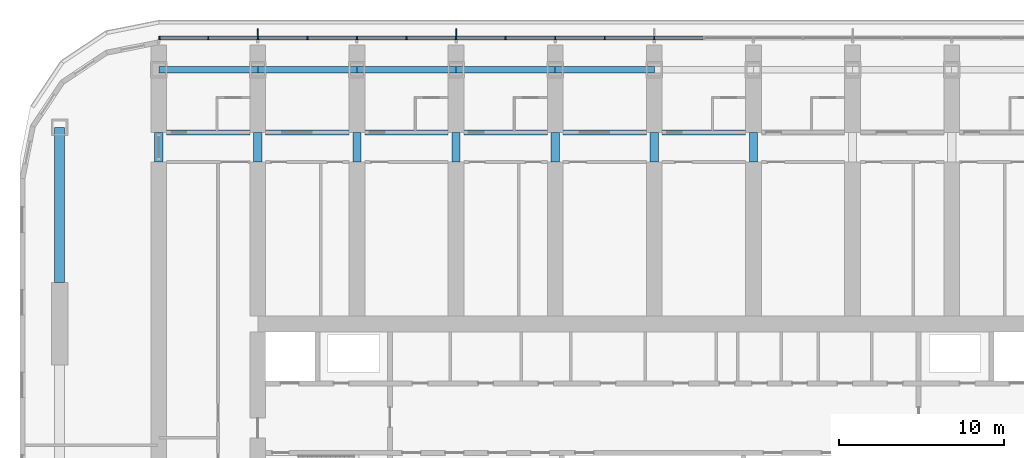
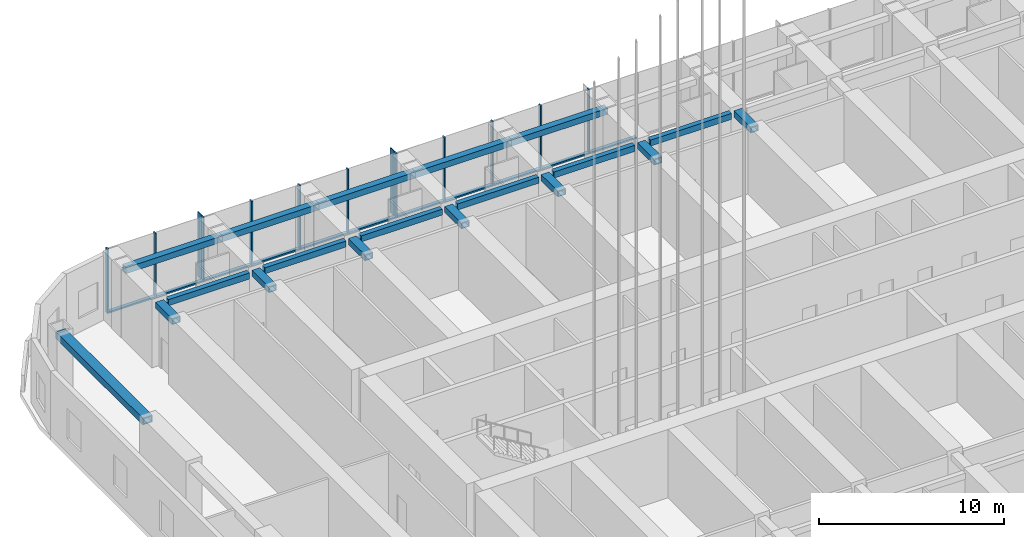
# One storey, part 4 of 31: 24 members, 19 beams, 1 element without a shape of its own.
"""IFC4 building model written with IfcOpenShell, lengths in metres."""

from ifc_helpers import new_model, si_unit, direction, frame, origin, origin_2d, place, context, subcontext, project, spatial, rectangle, hollow_rectangle, extrude, material, material_profile, profile_set, type_object, element, aggregate, save


model = new_model("IFC4")

# Units and contexts
model_context = context("Model", 3, precision=1e-05, world=origin(), true_north=direction((0.0, 1.0)))
body_context = subcontext(model_context, "Body", "Model", "MODEL_VIEW")
ifc_project = project(units=[si_unit("LENGTHUNIT", "METRE"), si_unit("AREAUNIT", "SQUARE_METRE"), si_unit("VOLUMEUNIT", "CUBIC_METRE"), si_unit("PLANEANGLEUNIT", "RADIAN"), si_unit("MASSUNIT", "GRAM", prefix="KILO")], contexts=[model_context])

# Site, building, storey
site_placement = place(None, origin())
site = spatial("IfcSite", under=ifc_project, at=site_placement, CompositionType="ELEMENT")
building_placement = place(site_placement, origin())
building = spatial("IfcBuilding", under=site, at=building_placement, Name="Orbita Commons", CompositionType="ELEMENT")
storey_placement = place(building_placement, frame((0.0, 0.0, 76.14990234375)))
storey = spatial("IfcBuildingStorey", under=building, at=storey_placement, Name="L18", CompositionType="ELEMENT", Elevation=76.14990234375)

# Curtain wall, members
ifc_material_1 = material(Name="Anodised aluminium frame, pale silver", Category="aluminium")
curtain_wall_type = type_object("IfcCurtainWallType", Name="Unitised curtain wall CW-S, full-height", PredefinedType="NOTDEFINED", material=ifc_material_1)
curtain_wall_placement = place(storey_placement, origin())
curtain_wall = element("IfcCurtainWall", 1, at=curtain_wall_placement, inside=storey, type_object=curtain_wall_type, Name="Curtain wall north L18", PredefinedType="NOTDEFINED")
ifc_material_2 = material(Name="Anodised aluminium, pale silver", Category="aluminium")
ifc_material_profile_1 = material_profile(ifc_material_2, rectangle(XDim=0.080078125, YDim=0.219970703125, at=origin_2d()), Name="AL 80x220")
ifc_profile_set_1 = profile_set([ifc_material_profile_1], Name="Anodised aluminium, pale silver")
member_type_1 = type_object("IfcMemberType", Name="Curtain wall mullion 80x220", PredefinedType="MULLION", material=ifc_profile_set_1)
member_1_placement = place(storey_placement, frame((42.0, 55.510009765625, 0.0), z_axis=(0.0, 0.0, 1.0), x_axis=(-1.0, 0.0, 0.0)))
member_1 = element("IfcMember", 2, at=member_1_placement, type_object=member_type_1, Name="Mullion 9 CW-L18-N", PredefinedType="MULLION", context=body_context, shape_type="SweptSolid", body=[
    extrude(rectangle(XDim=0.080078125, YDim=0.219970703125, at=origin_2d()), origin(), (0.0, 0.0, 1.0), 4.25),
])
member_2_placement = place(storey_placement, frame((39.0, 55.510009765625, 0.0), z_axis=(0.0, 0.0, 1.0), x_axis=(-1.0, 0.0, 0.0)))
member_2 = element("IfcMember", 3, at=member_2_placement, type_object=member_type_1, Name="Mullion 10 CW-L18-N", PredefinedType="MULLION", context=body_context, shape_type="SweptSolid", body=[
    extrude(rectangle(XDim=0.080078125, YDim=0.219970703125, at=origin_2d()), origin(), (0.0, 0.0, 1.0), 4.25),
])
member_3_placement = place(storey_placement, frame((36.0, 55.510009765625, 0.0), z_axis=(0.0, 0.0, 1.0), x_axis=(-1.0, 0.0, 0.0)))
member_3 = element("IfcMember", 4, at=member_3_placement, type_object=member_type_1, Name="Mullion 11 CW-L18-N", PredefinedType="MULLION", context=body_context, shape_type="SweptSolid", body=[
    extrude(rectangle(XDim=0.080078125, YDim=0.219970703125, at=origin_2d()), origin(), (0.0, 0.0, 1.0), 4.25),
])
member_4_placement = place(storey_placement, frame((33.0, 55.510009765625, 0.0), z_axis=(0.0, 0.0, 1.0), x_axis=(-1.0, 0.0, 0.0)))
member_4 = element("IfcMember", 5, at=member_4_placement, type_object=member_type_1, Name="Mullion 12 CW-L18-N", PredefinedType="MULLION", context=body_context, shape_type="SweptSolid", body=[
    extrude(rectangle(XDim=0.080078125, YDim=0.219970703125, at=origin_2d()), origin(), (0.0, 0.0, 1.0), 4.25),
])
member_5_placement = place(storey_placement, frame((30.0, 55.510009765625, 0.0), z_axis=(0.0, 0.0, 1.0), x_axis=(-1.0, 0.0, 0.0)))
member_5 = element("IfcMember", 6, at=member_5_placement, type_object=member_type_1, Name="Mullion 13 CW-L18-N", PredefinedType="MULLION", context=body_context, shape_type="SweptSolid", body=[
    extrude(rectangle(XDim=0.080078125, YDim=0.219970703125, at=origin_2d()), origin(), (0.0, 0.0, 1.0), 4.25),
])
member_6_placement = place(storey_placement, frame((27.0, 55.510009765625, 0.0), z_axis=(0.0, 0.0, 1.0), x_axis=(-1.0, 0.0, 0.0)))
member_6 = element("IfcMember", 7, at=member_6_placement, type_object=member_type_1, Name="Mullion 14 CW-L18-N", PredefinedType="MULLION", context=body_context, shape_type="SweptSolid", body=[
    extrude(rectangle(XDim=0.080078125, YDim=0.219970703125, at=origin_2d()), origin(), (0.0, 0.0, 1.0), 4.25),
])
member_7_placement = place(storey_placement, frame((24.0, 55.510009765625, 0.0), z_axis=(0.0, 0.0, 1.0), x_axis=(-1.0, 0.0, 0.0)))
member_7 = element("IfcMember", 8, at=member_7_placement, type_object=member_type_1, Name="Mullion 15 CW-L18-N", PredefinedType="MULLION", context=body_context, shape_type="SweptSolid", body=[
    extrude(rectangle(XDim=0.080078125, YDim=0.219970703125, at=origin_2d()), origin(), (0.0, 0.0, 1.0), 4.25),
])
member_8_placement = place(storey_placement, frame((21.0, 55.510009765625, 0.0), z_axis=(0.0, 0.0, 1.0), x_axis=(-1.0, 0.0, 0.0)))
member_8 = element("IfcMember", 9, at=member_8_placement, type_object=member_type_1, Name="Mullion 16 CW-L18-N", PredefinedType="MULLION", context=body_context, shape_type="SweptSolid", body=[
    extrude(rectangle(XDim=0.080078125, YDim=0.219970703125, at=origin_2d()), origin(), (0.0, 0.0, 1.0), 4.25),
])
member_9_placement = place(storey_placement, frame((18.0, 55.510009765625, 0.0), z_axis=(0.0, 0.0, 1.0), x_axis=(-1.0, 0.0, 0.0)))
member_9 = element("IfcMember", 10, at=member_9_placement, type_object=member_type_1, Name="Mullion 17 CW-L18-N", PredefinedType="MULLION", context=body_context, shape_type="SweptSolid", body=[
    extrude(rectangle(XDim=0.080078125, YDim=0.219970703125, at=origin_2d()), origin(), (0.0, 0.0, 1.0), 4.25),
])
member_10_placement = place(storey_placement, frame((15.0, 55.510009765625, 0.0), z_axis=(0.0, 0.0, 1.0), x_axis=(-1.0, 0.0, 0.0)))
member_10 = element("IfcMember", 11, at=member_10_placement, type_object=member_type_1, Name="Mullion 18 CW-L18-N", PredefinedType="MULLION", context=body_context, shape_type="SweptSolid", body=[
    extrude(rectangle(XDim=0.080078125, YDim=0.219970703125, at=origin_2d()), origin(), (0.0, 0.0, 1.0), 4.25),
])
member_11_placement = place(storey_placement, frame((12.0400390625, 55.510009765625, 0.0), z_axis=(0.0, 0.0, 1.0), x_axis=(-1.0, 0.0, 0.0)))
member_11 = element("IfcMember", 12, at=member_11_placement, type_object=member_type_1, Name="Mullion 19 CW-L18-N", PredefinedType="MULLION", context=body_context, shape_type="SweptSolid", body=[
    extrude(rectangle(XDim=0.080078125, YDim=0.219970703125, at=origin_2d()), origin(), (0.0, 0.0, 1.0), 4.25),
])
ifc_material_3 = material(Name="Anodised aluminium, pale silver", Category="aluminium")
ifc_material_profile_2 = material_profile(ifc_material_3, rectangle(XDim=0.219970703125, YDim=0.10009765625, at=origin_2d()), Name="AL 220x100")
ifc_profile_set_2 = profile_set([ifc_material_profile_2], Name="Anodised aluminium, pale silver")
member_type_2 = type_object("IfcMemberType", Name="Curtain wall stack transom 220x100", PredefinedType="USERDEFINED", material=ifc_profile_set_2)
member_12_placement = place(storey_placement, frame((44.9599609375, 55.510009765625, 0.050048828125), z_axis=(-1.0, 0.0, 0.0), x_axis=(0.0, -1.0, 0.0)))
member_12 = element("IfcMember", 13, at=member_12_placement, type_object=member_type_2, Name="Transom 8.1 CW-L18-N", ObjectType="TRANSOM", PredefinedType="USERDEFINED", context=body_context, shape_type="SweptSolid", body=[
    extrude(rectangle(XDim=0.219970703125, YDim=0.10009765625, at=origin_2d()), origin(), (0.0, 0.0, 1.0), 2.919921875),
])
member_13_placement = place(storey_placement, frame((41.9599609375, 55.510009765625, 0.050048828125), z_axis=(-1.0, 0.0, 0.0), x_axis=(0.0, -1.0, 0.0)))
member_13 = element("IfcMember", 14, at=member_13_placement, type_object=member_type_2, Name="Transom 9.1 CW-L18-N", ObjectType="TRANSOM", PredefinedType="USERDEFINED", context=body_context, shape_type="SweptSolid", body=[
    extrude(rectangle(XDim=0.219970703125, YDim=0.10009765625, at=origin_2d()), origin(), (0.0, 0.0, 1.0), 2.919921875),
])
member_14_placement = place(storey_placement, frame((38.9599609375, 55.510009765625, 0.050048828125), z_axis=(-1.0, 0.0, 0.0), x_axis=(0.0, -1.0, 0.0)))
member_14 = element("IfcMember", 15, at=member_14_placement, type_object=member_type_2, Name="Transom 10.1 CW-L18-N", ObjectType="TRANSOM", PredefinedType="USERDEFINED", context=body_context, shape_type="SweptSolid", body=[
    extrude(rectangle(XDim=0.219970703125, YDim=0.10009765625, at=origin_2d()), origin(), (0.0, 0.0, 1.0), 2.919921875),
])
member_15_placement = place(storey_placement, frame((35.9599609375, 55.510009765625, 0.050048828125), z_axis=(-1.0, 0.0, 0.0), x_axis=(0.0, -1.0, 0.0)))
member_15 = element("IfcMember", 16, at=member_15_placement, type_object=member_type_2, Name="Transom 11.1 CW-L18-N", ObjectType="TRANSOM", PredefinedType="USERDEFINED", context=body_context, shape_type="SweptSolid", body=[
    extrude(rectangle(XDim=0.219970703125, YDim=0.10009765625, at=origin_2d()), origin(), (0.0, 0.0, 1.0), 2.919921875),
])
member_16_placement = place(storey_placement, frame((32.9599609375, 55.510009765625, 0.050048828125), z_axis=(-1.0, 0.0, 0.0), x_axis=(0.0, -1.0, 0.0)))
member_16 = element("IfcMember", 17, at=member_16_placement, type_object=member_type_2, Name="Transom 12.1 CW-L18-N", ObjectType="TRANSOM", PredefinedType="USERDEFINED", context=body_context, shape_type="SweptSolid", body=[
    extrude(rectangle(XDim=0.219970703125, YDim=0.10009765625, at=origin_2d()), origin(), (0.0, 0.0, 1.0), 2.919921875),
])
member_17_placement = place(storey_placement, frame((29.9599609375, 55.510009765625, 0.050048828125), z_axis=(-1.0, 0.0, 0.0), x_axis=(0.0, -1.0, 0.0)))
member_17 = element("IfcMember", 18, at=member_17_placement, type_object=member_type_2, Name="Transom 13.1 CW-L18-N", ObjectType="TRANSOM", PredefinedType="USERDEFINED", context=body_context, shape_type="SweptSolid", body=[
    extrude(rectangle(XDim=0.219970703125, YDim=0.10009765625, at=origin_2d()), origin(), (0.0, 0.0, 1.0), 2.919921875),
])
member_18_placement = place(storey_placement, frame((26.9599609375, 55.510009765625, 0.050048828125), z_axis=(-1.0, 0.0, 0.0), x_axis=(0.0, -1.0, 0.0)))
member_18 = element("IfcMember", 19, at=member_18_placement, type_object=member_type_2, Name="Transom 14.1 CW-L18-N", ObjectType="TRANSOM", PredefinedType="USERDEFINED", context=body_context, shape_type="SweptSolid", body=[
    extrude(rectangle(XDim=0.219970703125, YDim=0.10009765625, at=origin_2d()), origin(), (0.0, 0.0, 1.0), 2.919921875),
])
member_19_placement = place(storey_placement, frame((23.9599609375, 55.510009765625, 0.050048828125), z_axis=(-1.0, 0.0, 0.0), x_axis=(0.0, -1.0, 0.0)))
member_19 = element("IfcMember", 20, at=member_19_placement, type_object=member_type_2, Name="Transom 15.1 CW-L18-N", ObjectType="TRANSOM", PredefinedType="USERDEFINED", context=body_context, shape_type="SweptSolid", body=[
    extrude(rectangle(XDim=0.219970703125, YDim=0.10009765625, at=origin_2d()), origin(), (0.0, 0.0, 1.0), 2.919921875),
])
member_20_placement = place(storey_placement, frame((20.9599609375, 55.510009765625, 0.050048828125), z_axis=(-1.0, 0.0, 0.0), x_axis=(0.0, -1.0, 0.0)))
member_20 = element("IfcMember", 21, at=member_20_placement, type_object=member_type_2, Name="Transom 16.1 CW-L18-N", ObjectType="TRANSOM", PredefinedType="USERDEFINED", context=body_context, shape_type="SweptSolid", body=[
    extrude(rectangle(XDim=0.219970703125, YDim=0.10009765625, at=origin_2d()), origin(), (0.0, 0.0, 1.0), 2.919921875),
])
member_21_placement = place(storey_placement, frame((17.9599609375, 55.510009765625, 0.050048828125), z_axis=(-1.0, 0.0, 0.0), x_axis=(0.0, -1.0, 0.0)))
member_21 = element("IfcMember", 22, at=member_21_placement, type_object=member_type_2, Name="Transom 17.1 CW-L18-N", ObjectType="TRANSOM", PredefinedType="USERDEFINED", context=body_context, shape_type="SweptSolid", body=[
    extrude(rectangle(XDim=0.219970703125, YDim=0.10009765625, at=origin_2d()), origin(), (0.0, 0.0, 1.0), 2.919921875),
])
member_22_placement = place(storey_placement, frame((14.9599609375, 55.510009765625, 0.050048828125), z_axis=(-1.0, 0.0, 0.0), x_axis=(0.0, -1.0, 0.0)))
member_22 = element("IfcMember", 23, at=member_22_placement, type_object=member_type_2, Name="Transom 18.1 CW-L18-N", ObjectType="TRANSOM", PredefinedType="USERDEFINED", context=body_context, shape_type="SweptSolid", body=[
    extrude(rectangle(XDim=0.219970703125, YDim=0.10009765625, at=origin_2d()), origin(), (0.0, 0.0, 1.0), 2.8798828125),
])

# Beams
ifc_material_4 = material(Name="Steel ASTM A572 Gr 50 welded plate", Category="steel")
ifc_material_profile_3 = material_profile(ifc_material_4, hollow_rectangle(XDim=0.300048828125, YDim=0.39990234375, WallThickness=0.0400390625, at=origin_2d()), Name="BOX 400x300x40")
ifc_profile_set_3 = profile_set([ifc_material_profile_3], Name="Steel ASTM A572 Gr 50 welded plate")
beam_type_1 = type_object("IfcBeamType", Name="Steel corridor link BOX 400x300x40", PredefinedType="BEAM", material=ifc_profile_set_3)
for number, where, z_axis, x_axis, name in (
    (24, (12.47509765625, 49.800048828125, 4.050048828125), (1.0, 0.0, 0.0), (0.0, 1.0, 0.0), "Corridor beam NB 3-4 L18"),
    (25, (18.47509765625, 49.800048828125, 4.050048828125), (1.0, 0.0, 0.0), (0.0, 1.0, 0.0), "Corridor beam NB 4-5 L18"),
    (26, (24.47509765625, 49.800048828125, 4.050048828125), (1.0, 0.0, 0.0), (0.0, 1.0, 0.0), "Corridor beam NB 5-6 L18"),
    (27, (30.47509765625, 49.800048828125, 4.050048828125), (1.0, 0.0, 0.0), (0.0, 1.0, 0.0), "Corridor beam NB 6-7 L18"),
    (28, (36.47509765625, 49.800048828125, 4.050048828125), (1.0, 0.0, 0.0), (0.0, 1.0, 0.0), "Corridor beam NB 7-8 L18"),
    (29, (42.47509765625, 49.800048828125, 4.050048828125), (1.0, 0.0, 0.0), (0.0, 1.0, 0.0), "Corridor beam NB 8-9 L18"),
):
    element("IfcBeam", number, at=place(storey_placement, frame(where, z_axis=z_axis, x_axis=x_axis)), inside=storey, type_object=beam_type_1, Name=name, PredefinedType="BEAM", context=body_context, shape_type="SweptSolid", body=[
        extrude(hollow_rectangle(XDim=0.300048828125, YDim=0.39990234375, WallThickness=0.0400390625, at=origin_2d()), origin(), (0.0, 0.0, 1.0), 5.0498046875),
    ])
ifc_material_5 = material(Name="Steel ASTM A572 Gr 50 welded plate", Category="steel")
ifc_material_profile_4 = material_profile(ifc_material_5, hollow_rectangle(XDim=0.5, YDim=0.39990234375, WallThickness=0.050048828125, at=origin_2d()), Name="BOX 400x500x50")
ifc_profile_set_4 = profile_set([ifc_material_profile_4], Name="Steel ASTM A572 Gr 50 welded plate")
beam_type_2 = type_object("IfcBeamType", Name="Steel coupling link BOX 400x500x50", PredefinedType="LINTEL", material=ifc_profile_set_4)
for number, where, z_axis, x_axis, name in (
    (30, (12.0, 48.0, 4.050048828125), (0.0, 1.0, 0.0), (-1.0, 0.0, 0.0), "Coupling beam 3 north L18"),
    (31, (18.0, 48.0, 4.050048828125), (0.0, 1.0, 0.0), (-1.0, 0.0, 0.0), "Coupling beam 4 north L18"),
    (32, (24.0, 48.0, 4.050048828125), (0.0, 1.0, 0.0), (-1.0, 0.0, 0.0), "Coupling beam 5 north L18"),
    (33, (30.0, 48.0, 4.050048828125), (0.0, 1.0, 0.0), (-1.0, 0.0, 0.0), "Coupling beam 6 north L18"),
    (34, (36.0, 48.0, 4.050048828125), (0.0, 1.0, 0.0), (-1.0, 0.0, 0.0), "Coupling beam 7 north L18"),
    (35, (42.0, 48.0, 4.050048828125), (0.0, 1.0, 0.0), (-1.0, 0.0, 0.0), "Coupling beam 8 north L18"),
    (36, (48.0, 48.0, 4.050048828125), (0.0, 1.0, 0.0), (-1.0, 0.0, 0.0), "Coupling beam 9 north L18"),
):
    element("IfcBeam", number, at=place(storey_placement, frame(where, z_axis=z_axis, x_axis=x_axis)), inside=storey, type_object=beam_type_2, Name=name, PredefinedType="LINTEL", context=body_context, shape_type="SweptSolid", body=[
        extrude(hollow_rectangle(XDim=0.5, YDim=0.39990234375, WallThickness=0.050048828125, at=origin_2d()), origin(), (0.0, 0.0, 1.0), 1.800048828125),
    ])
ifc_material_6 = material(Name="Steel ASTM A572 Gr 50 welded plate", Category="steel")
ifc_material_profile_5 = material_profile(ifc_material_6, hollow_rectangle(XDim=0.60009765625, YDim=0.449951171875, WallThickness=0.06005859375, at=origin_2d()), Name="BOX 450x600x60")
ifc_profile_set_5 = profile_set([ifc_material_profile_5], Name="Steel ASTM A572 Gr 50 welded plate")
beam_type_3 = type_object("IfcBeamType", Name="Steel end frame link BOX 450x600x60", PredefinedType="BEAM", material=ifc_profile_set_5)
beam_placement = place(storey_placement, frame((6.0, 40.699951171875, 4.025146484375), z_axis=(0.0, 1.0, 0.0), x_axis=(-1.0, 0.0, 0.0)))
element("IfcBeam", 37, at=beam_placement, inside=storey, type_object=beam_type_3, Name="End frame beam 2 D-E L18", PredefinedType="BEAM", context=body_context, shape_type="SweptSolid", body=[
    extrude(hollow_rectangle(XDim=0.60009765625, YDim=0.449951171875, WallThickness=0.06005859375, at=origin_2d()), origin(), (0.0, 0.0, 1.0), 9.400146484375),
])
ifc_material_7 = material(Name="Steel ASTM A572 Gr 50 welded plate", Category="steel")
ifc_material_profile_6 = material_profile(ifc_material_7, hollow_rectangle(XDim=0.39990234375, YDim=0.39990234375, WallThickness=0.0400390625, at=origin_2d()), Name="BOX 400x400x40")
ifc_profile_set_6 = profile_set([ifc_material_profile_6], Name="Steel ASTM A572 Gr 50 welded plate")
beam_type_4 = type_object("IfcBeamType", Name="Steel spandrel BOX 400x400x40", PredefinedType="SPANDREL", material=ifc_profile_set_6)
for number, where, z_axis, x_axis, name in (
    (38, (12.0, 53.60009765625, 4.050048828125), (1.0, 0.0, 0.0), (0.0, 1.0, 0.0), "Spandrel beam E 3-4 L18"),
    (39, (18.0, 53.60009765625, 4.050048828125), (1.0, 0.0, 0.0), (0.0, 1.0, 0.0), "Spandrel beam E 4-5 L18"),
    (40, (24.0, 53.60009765625, 4.050048828125), (1.0, 0.0, 0.0), (0.0, 1.0, 0.0), "Spandrel beam E 5-6 L18"),
    (41, (30.0, 53.60009765625, 4.050048828125), (1.0, 0.0, 0.0), (0.0, 1.0, 0.0), "Spandrel beam E 6-7 L18"),
    (42, (36.0, 53.60009765625, 4.050048828125), (1.0, 0.0, 0.0), (0.0, 1.0, 0.0), "Spandrel beam E 7-8 L18"),
):
    element("IfcBeam", number, at=place(storey_placement, frame(where, z_axis=z_axis, x_axis=x_axis)), inside=storey, type_object=beam_type_4, Name=name, PredefinedType="SPANDREL", context=body_context, shape_type="SweptSolid", body=[
        extrude(hollow_rectangle(XDim=0.39990234375, YDim=0.39990234375, WallThickness=0.0400390625, at=origin_2d()), origin(), (0.0, 0.0, 1.0), 6.0),
    ])

# Member
ifc_material_8 = material(Name="Anodised aluminium, pale silver", Category="aluminium")
ifc_material_profile_7 = material_profile(ifc_material_8, rectangle(XDim=0.06005859375, YDim=0.449951171875, at=origin_2d()), Name="FIN 60x450")
ifc_profile_set_7 = profile_set([ifc_material_profile_7], Name="Anodised aluminium, pale silver")
member_type_3 = type_object("IfcMemberType", Name="Vertical fin 60x450 pale aluminium", PredefinedType="USERDEFINED", material=ifc_profile_set_7)
member_23_placement = place(storey_placement, frame((30.0, 55.844970703125, 0.0), z_axis=(0.0, 0.0, 1.0), x_axis=(-1.0, 0.0, 0.0)))
member_23 = element("IfcMember", 43, at=member_23_placement, type_object=member_type_3, Name="Fin 13 CW-L18-N", ObjectType="FIN", PredefinedType="USERDEFINED", context=body_context, shape_type="SweptSolid", body=[
    extrude(rectangle(XDim=0.06005859375, YDim=0.449951171875, at=origin_2d()), origin(), (0.0, 0.0, 1.0), 4.25),
])

member_24_placement = place(storey_placement, frame((18.0, 55.844970703125, 0.0), z_axis=(0.0, 0.0, 1.0), x_axis=(-1.0, 0.0, 0.0)))
member_24 = element("IfcMember", 44, at=member_24_placement, type_object=member_type_3, Name="Fin 17 CW-L18-N", ObjectType="FIN", PredefinedType="USERDEFINED", context=body_context, shape_type="SweptSolid", body=[
    extrude(rectangle(XDim=0.06005859375, YDim=0.449951171875, at=origin_2d()), origin(), (0.0, 0.0, 1.0), 4.25),
])

aggregate(curtain_wall, [member_1, member_2, member_3, member_4, member_5, member_23, member_6, member_7, member_8, member_9, member_24, member_10, member_11, member_12, member_13, member_14, member_15, member_16, member_17, member_18, member_19, member_20, member_21, member_22])

save(model, "model.ifc")
